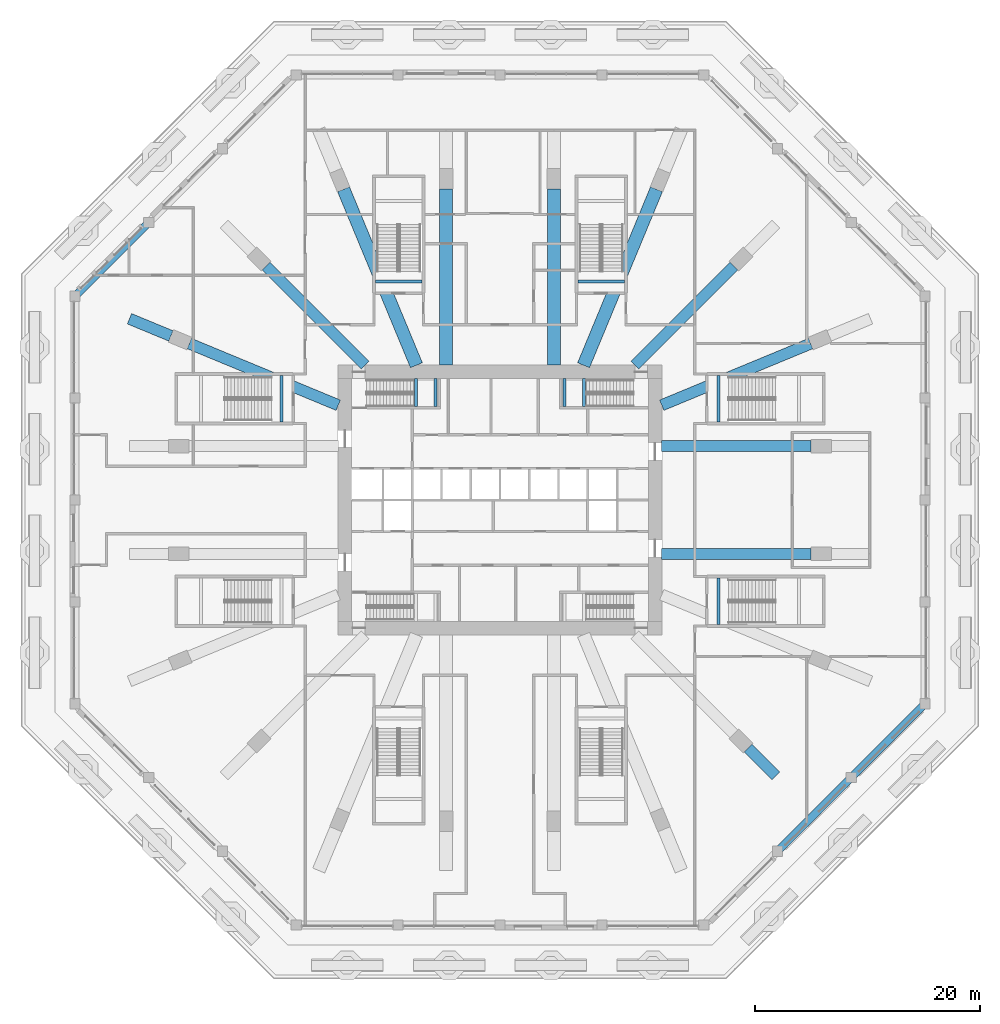
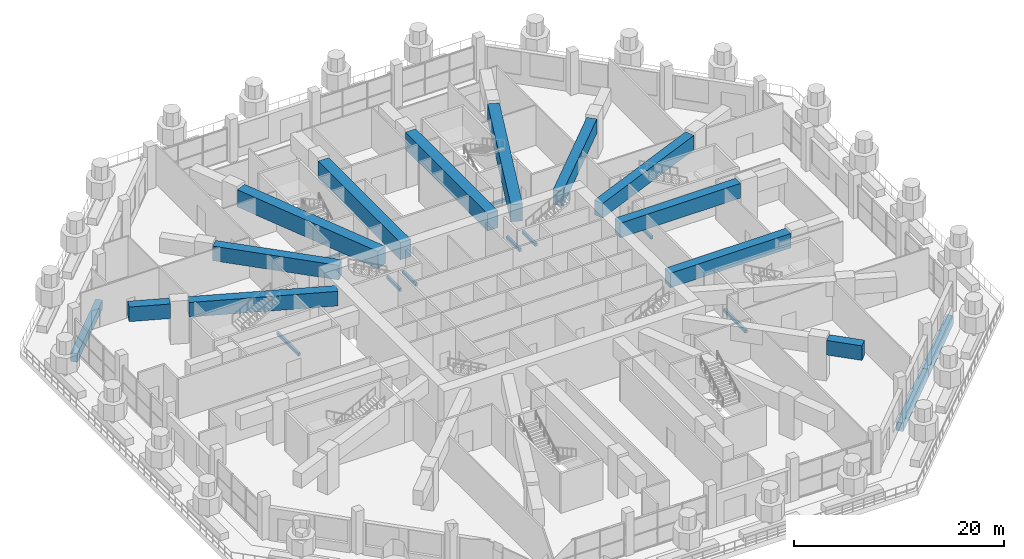
# One storey, part 7 of 25: 24 beams.
"""IFC4 building model written with IfcOpenShell, lengths in metres."""

from ifc_helpers import new_model, si_unit, direction, frame, origin, origin_2d, place, context, subcontext, project, spatial, rectangle, extrude, material, material_profile, profile_set, type_object, element, save


model = new_model("IFC4")

# Units and contexts
model_context = context("Model", 3, precision=1e-05, world=origin(), true_north=direction((0.0, 1.0)))
body_context = subcontext(model_context, "Body", "Model", "MODEL_VIEW")
ifc_project = project(units=[si_unit("LENGTHUNIT", "METRE"), si_unit("AREAUNIT", "SQUARE_METRE"), si_unit("VOLUMEUNIT", "CUBIC_METRE"), si_unit("PLANEANGLEUNIT", "RADIAN"), si_unit("MASSUNIT", "GRAM", prefix="KILO")], contexts=[model_context])

# Site, building, storey
site_placement = place(None, origin())
site = spatial("IfcSite", under=ifc_project, at=site_placement, CompositionType="ELEMENT")
building_placement = place(site_placement, origin())
building = spatial("IfcBuilding", under=site, at=building_placement, Name="Msitu Wima Residences", CompositionType="ELEMENT")
storey_placement = place(building_placement, frame((0.0, 0.0, 11.0)))
storey = spatial("IfcBuildingStorey", under=building, at=storey_placement, Name="L02", CompositionType="ELEMENT", Elevation=11.0)

# Beams
ifc_material_1 = material(Name="Concrete C40/50", Category="concrete")
ifc_material_profile_1 = material_profile(ifc_material_1, rectangle(XDim=0.25, YDim=0.35009765625, at=origin_2d()), Name="RC 250x350")
ifc_profile_set_1 = profile_set([ifc_material_profile_1], Name="Concrete C40/50")
beam_type_1 = type_object("IfcBeamType", Name="Landing beam RC 250x350", PredefinedType="BEAM", material=ifc_profile_set_1)
for number, where, z_axis, x_axis, name in (
    (1, (-7.47509765625, 8.324951171875, 2.125), (0.0, 1.0, 0.0), (-1.0, 0.0, 0.0), "Stair 1 landing beam"),
    (2, (-5.72509765625, 8.324951171875, 2.125), (0.0, 1.0, 0.0), (-1.0, 0.0, 0.0), "Stair 1 landing beam"),
    (3, (7.47509765625, 8.324951171875, 2.125), (0.0, 1.0, 0.0), (-1.0, 0.0, 0.0), "Stair 3 landing beam"),
    (4, (5.72509765625, 8.324951171875, 2.125), (0.0, 1.0, 0.0), (-1.0, 0.0, 0.0), "Stair 3 landing beam"),
):
    element("IfcBeam", number, at=place(storey_placement, frame(where, z_axis=z_axis, x_axis=x_axis)), inside=storey, type_object=beam_type_1, Name=name, PredefinedType="BEAM", context=body_context, shape_type="SweptSolid", body=[
        extrude(rectangle(XDim=0.25, YDim=0.35009765625, at=origin_2d()), origin(), (0.0, 0.0, 1.0), 2.5),
    ])
for number, where, z_axis, x_axis, name in (
    (5, (19.425048828125, 6.925048828125, -0.375), (0.0, 1.0, 0.0), (-1.0, 0.0, 0.0), "Podium exit stair 1 floor landing beam"),
    (6, (19.425048828125, -6.925048828125, -0.375), (0.0, -1.0, 0.0), (1.0, 0.0, 0.0), "Podium exit stair 2 floor landing beam"),
    (7, (-6.925048828125, 19.425048828125, -0.375), (-1.0, 0.0, 0.0), (0.0, -1.0, 0.0), "Podium exit stair 3 floor landing beam"),
    (8, (6.925048828125, 19.425048828125, -0.375), (1.0, 0.0, 0.0), (0.0, 1.0, 0.0), "Podium exit stair 4 floor landing beam"),
    (9, (-19.425048828125, 6.925048828125, -0.375), (0.0, 1.0, 0.0), (-1.0, 0.0, 0.0), "Podium exit stair 6 floor landing beam"),
):
    element("IfcBeam", number, at=place(storey_placement, frame(where, z_axis=z_axis, x_axis=x_axis)), inside=storey, type_object=beam_type_1, Name=name, PredefinedType="BEAM", context=body_context, shape_type="SweptSolid", body=[
        extrude(rectangle(XDim=0.25, YDim=0.35009765625, at=origin_2d()), origin(), (0.0, 0.0, 1.0), 4.14990234375),
    ])
ifc_material_2 = material(Name="Concrete C60/75", Category="concrete")
ifc_material_profile_2 = material_profile(ifc_material_2, rectangle(XDim=1.0, YDim=1.699951171875, at=origin_2d()), Name="RC 1000x1700")
ifc_profile_set_2 = profile_set([ifc_material_profile_2], Name="Concrete C60/75")
beam_type_2 = type_object("IfcBeamType", Name="Podium cantilever girder RC 1000x1700 Concrete C60/75", PredefinedType="BEAM", material=ifc_profile_set_2)
for number, where, z_axis, x_axis, name in (
    (10, (14.387939453125, -4.800048828125, 3.800048828125), (1.0, 0.0, 0.0), (0.0, 1.0, 0.0), "Podium cantilever girder L03 C-E1 back-span"),
    (11, (14.387939453125, 4.800048828125, 3.800048828125), (1.0, 0.0, 0.0), (0.0, 1.0, 0.0), "Podium cantilever girder L03 C-E2 back-span"),
):
    element("IfcBeam", number, at=place(storey_placement, frame(where, z_axis=z_axis, x_axis=x_axis)), inside=storey, type_object=beam_type_2, Name=name, PredefinedType="BEAM", context=body_context, shape_type="SweptSolid", body=[
        extrude(rectangle(XDim=1.0, YDim=1.699951171875, at=origin_2d()), origin(), (0.0, 0.0, 1.0), 13.299072265625),
    ])
beam_1_placement = place(storey_placement, frame((14.388916015625, 8.4306640625, 3.800048828125), z_axis=(0.923876521867, 0.382690700621, 0.0), x_axis=(-0.382690700621, 0.923876521867, 0.0)))
element("IfcBeam", 12, at=beam_1_placement, inside=storey, type_object=beam_type_2, Name="Podium cantilever girder L03 C-NE0 back-span", PredefinedType="BEAM", context=body_context, shape_type="SweptSolid", body=[
    extrude(rectangle(XDim=1.0, YDim=1.699951171875, at=origin_2d()), origin(), (0.0, 0.0, 1.0), 14.336181640625),
])
for number, where, z_axis, x_axis, name in (
    (13, (11.991455078125, 11.991455078125, 3.800048828125), (0.707106781187, 0.707106781187, 0.0), (-0.707106781187, 0.707106781187, 0.0), "Podium cantilever girder L03 C-NE1 back-span"),
    (14, (-11.991455078125, 11.991455078125, 3.800048828125), (-0.707106781187, 0.707106781187, 0.0), (-0.707106781187, -0.707106781187, 0.0), "Podium cantilever girder L03 C-NW1 back-span"),
):
    element("IfcBeam", number, at=place(storey_placement, frame(where, z_axis=z_axis, x_axis=x_axis)), inside=storey, type_object=beam_type_2, Name=name, PredefinedType="BEAM", context=body_context, shape_type="SweptSolid", body=[
        extrude(rectangle(XDim=1.0, YDim=1.699951171875, at=origin_2d()), origin(), (0.0, 0.0, 1.0), 12.4755859375),
    ])
beam_2_placement = place(storey_placement, frame((-14.388916015625, 8.4306640625, 3.800048828125), z_axis=(-0.923876521867, 0.382690700621, 0.0), x_axis=(-0.382690700621, -0.923876521867, 0.0)))
element("IfcBeam", 15, at=beam_2_placement, inside=storey, type_object=beam_type_2, Name="Podium cantilever girder L03 C-W0 back-span", PredefinedType="BEAM", context=body_context, shape_type="SweptSolid", body=[
    extrude(rectangle(XDim=1.0, YDim=1.699951171875, at=origin_2d()), origin(), (0.0, 0.0, 1.0), 14.336181640625),
])
ifc_material_profile_3 = material_profile(ifc_material_2, rectangle(XDim=1.14990234375, YDim=2.0, at=origin_2d()), Name="RC 1150x2000")
ifc_profile_set_3 = profile_set([ifc_material_profile_3], Name="Concrete C60/75")
beam_type_3 = type_object("IfcBeamType", Name="Podium cantilever girder RC 1150x2000 Concrete C60/75", PredefinedType="BEAM", material=ifc_profile_set_3)
beam_3_placement = place(storey_placement, frame((7.4365234375, 11.989013671875, 3.64990234375), z_axis=(0.382693039712, 0.92387555296, 0.0), x_axis=(-0.92387555296, 0.382693039712, 0.0)))
element("IfcBeam", 16, at=beam_3_placement, inside=storey, type_object=beam_type_3, Name="Podium cantilever girder L03 C-N0 back-span", PredefinedType="BEAM", context=body_context, shape_type="SweptSolid", body=[
    extrude(rectangle(XDim=1.14990234375, YDim=2.0, at=origin_2d()), origin(), (0.0, 0.0, 1.0), 16.933837890625),
])
for number, where, z_axis, x_axis, name in (
    (17, (4.800048828125, 11.988037109375, 3.64990234375), (0.0, 1.0, 0.0), (-1.0, 0.0, 0.0), "Podium cantilever girder L03 C-N1 back-span"),
    (18, (-4.800048828125, 11.988037109375, 3.64990234375), (0.0, 1.0, 0.0), (-1.0, 0.0, 0.0), "Podium cantilever girder L03 C-N2 back-span"),
):
    element("IfcBeam", number, at=place(storey_placement, frame(where, z_axis=z_axis, x_axis=x_axis)), inside=storey, type_object=beam_type_3, Name=name, PredefinedType="BEAM", context=body_context, shape_type="SweptSolid", body=[
        extrude(rectangle(XDim=1.14990234375, YDim=2.0, at=origin_2d()), origin(), (0.0, 0.0, 1.0), 15.698974609375),
    ])
beam_4_placement = place(storey_placement, frame((-7.4365234375, 11.989013671875, 3.64990234375), z_axis=(-0.382693039712, 0.92387555296, 0.0), x_axis=(-0.92387555296, -0.382693039712, 0.0)))
element("IfcBeam", 19, at=beam_4_placement, inside=storey, type_object=beam_type_3, Name="Podium cantilever girder L03 C-NW0 back-span", PredefinedType="BEAM", context=body_context, shape_type="SweptSolid", body=[
    extrude(rectangle(XDim=1.14990234375, YDim=2.0, at=origin_2d()), origin(), (0.0, 0.0, 1.0), 16.933837890625),
])
ifc_material_profile_4 = material_profile(ifc_material_2, rectangle(XDim=1.0, YDim=1.699951171875, at=origin_2d()), Name="RC 1000x1700")
ifc_profile_set_4 = profile_set([ifc_material_profile_4], Name="Concrete C60/75")
beam_type_4 = type_object("IfcBeamType", Name="Podium cantilever girder tip RC 1000x1700 Concrete C60/75", PredefinedType="BEAM", material=ifc_profile_set_4)
beam_5_placement = place(storey_placement, frame((22.06884765625, -22.06884765625, 3.800048828125), z_axis=(0.707106781187, -0.707106781187, 0.0), x_axis=(0.707106781187, 0.707106781187, 0.0)))
element("IfcBeam", 20, at=beam_5_placement, inside=storey, type_object=beam_type_4, Name="Podium cantilever girder L03 C-SE1 cantilever", PredefinedType="BEAM", context=body_context, shape_type="SweptSolid", body=[
    extrude(rectangle(XDim=1.0, YDim=1.699951171875, at=origin_2d()), origin(), (0.0, 0.0, 1.0), 3.4990234375),
])
beam_6_placement = place(storey_placement, frame((-29.274658203125, 14.5966796875, 3.800048828125), z_axis=(-0.923893047528, 0.382650802599, 0.0), x_axis=(-0.382650802599, -0.923893047528, 0.0)))
element("IfcBeam", 21, at=beam_6_placement, inside=storey, type_object=beam_type_4, Name="Podium cantilever girder L03 C-W0 cantilever", PredefinedType="BEAM", context=body_context, shape_type="SweptSolid", body=[
    extrude(rectangle(XDim=1.0, YDim=1.699951171875, at=origin_2d()), origin(), (0.0, 0.0, 1.0), 3.990234375),
])
ifc_material_profile_5 = material_profile(ifc_material_2, rectangle(XDim=0.699951171875, YDim=1.0, at=origin_2d()), Name="RC 700x1000")
ifc_profile_set_5 = profile_set([ifc_material_profile_5], Name="Concrete C60/75")
beam_type_5 = type_object("IfcBeamType", Name="Terrace beam RC 700x1000 Concrete C60/75", PredefinedType="BEAM", material=ifc_profile_set_5)
for number, where, z_axis, x_axis, name in (
    (22, (-31.24267578125, 24.685302734375, -1.10009765625), (-0.707106781187, -0.707106781187, 0.0), (0.707106781187, -0.707106781187, 0.0), "Terrace upstand-line beam L02 C-NW2"),
    (23, (24.685302734375, -31.24267578125, -1.10009765625), (0.707106781187, 0.707106781187, 0.0), (-0.707106781187, 0.707106781187, 0.0), "Terrace upstand-line beam L02 C-SE1"),
    (24, (31.24267578125, -24.685302734375, -1.10009765625), (0.707106781187, 0.707106781187, 0.0), (-0.707106781187, 0.707106781187, 0.0), "Terrace upstand-line beam L02 C-SE2"),
):
    element("IfcBeam", number, at=place(storey_placement, frame(where, z_axis=z_axis, x_axis=x_axis)), inside=storey, type_object=beam_type_5, Name=name, PredefinedType="BEAM", context=body_context, shape_type="SweptSolid", body=[
        extrude(rectangle(XDim=0.699951171875, YDim=1.0, at=origin_2d()), origin(), (0.0, 0.0, 1.0), 9.2734375),
    ])

save(model, "model.ifc")
